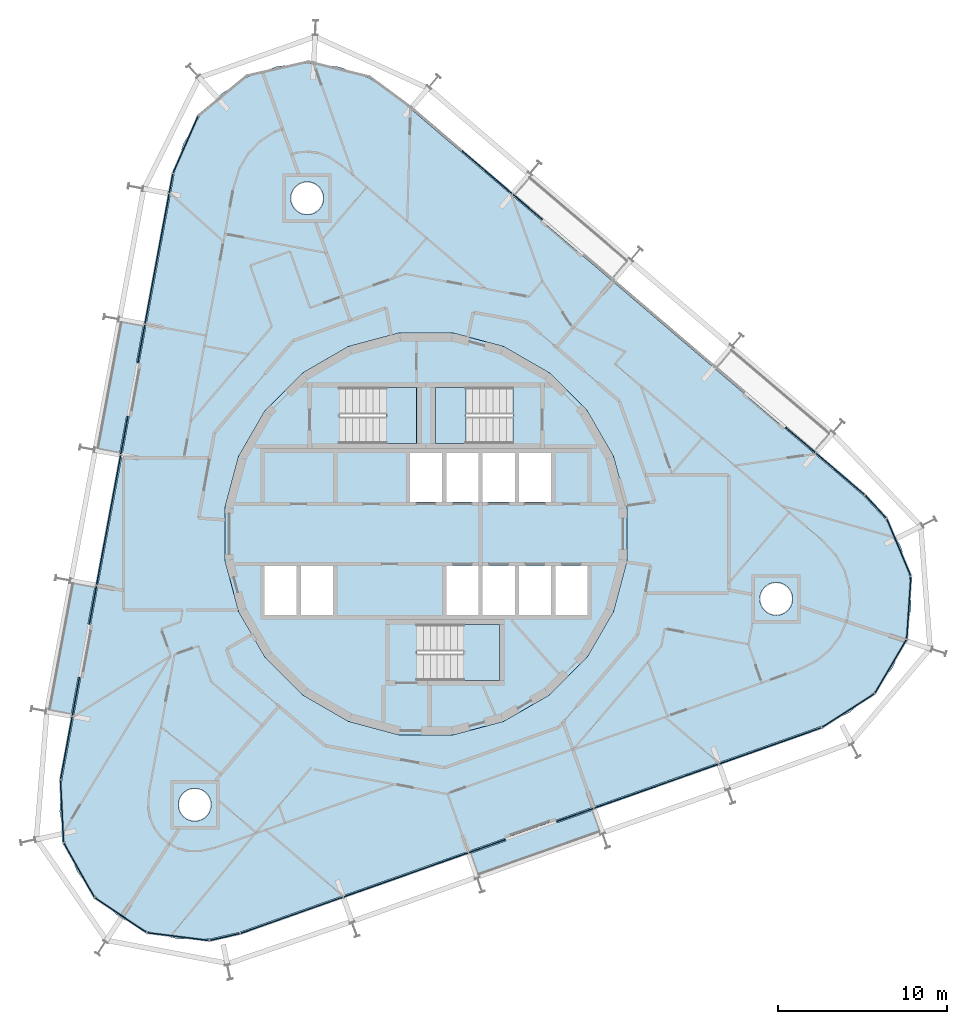
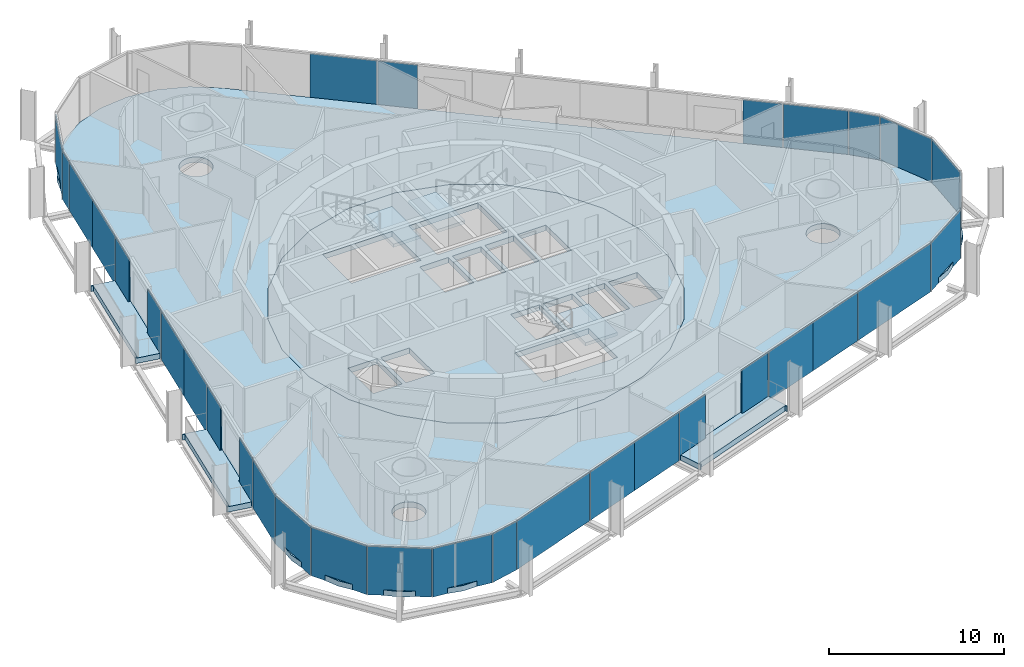
# One storey, part 9 of 17: 33 plates, 8 slabs, 9 elements without a shape of their own.
"""IFC4 building model written with IfcOpenShell, lengths in metres."""

from ifc_helpers import new_model, si_unit, direction, frame, origin, origin_2d, place, context, subcontext, project, spatial, polyline, rectangle, outline, extrude, material, layer, layer_set, type_object, element, aggregate, save


model = new_model("IFC4")

# Units and contexts
model_context = context("Model", 3, precision=1e-05, world=origin(), true_north=direction((0.0, 1.0)))
body_context = subcontext(model_context, "Body", "Model", "MODEL_VIEW")
ifc_project = project(units=[si_unit("LENGTHUNIT", "METRE"), si_unit("AREAUNIT", "SQUARE_METRE"), si_unit("VOLUMEUNIT", "CUBIC_METRE"), si_unit("PLANEANGLEUNIT", "RADIAN"), si_unit("MASSUNIT", "GRAM", prefix="KILO")], contexts=[model_context])

# Site, building, storey
site_placement = place(None, origin())
site = spatial("IfcSite", under=ifc_project, at=site_placement, CompositionType="ELEMENT")
building_placement = place(site_placement, origin())
building = spatial("IfcBuilding", under=site, at=building_placement, Name="Spindle Arch Residences", CompositionType="ELEMENT")
storey_placement = place(building_placement, frame((0.0, 0.0, 162.199951171875)))
storey = spatial("IfcBuildingStorey", under=building, at=storey_placement, Name="L40", CompositionType="ELEMENT", Elevation=162.199951171875)

# Slabs
ifc_material_1 = material(Name="Concrete C40/50", Category="concrete")
ifc_layer_1 = layer(ifc_material_1, 0.3798828125)
ifc_layer_set_1 = layer_set([ifc_layer_1], Name="Balcony slab 380")
slab_type_1 = type_object("IfcSlabType", Name="Balcony slab 380", PredefinedType="FLOOR", material=ifc_layer_set_1)
slab_1_placement = place(storey_placement, frame((0.0, 0.0, -0.3798828125)))
element("IfcSlab", 1, at=slab_1_placement, inside=storey, type_object=slab_type_1, Name="Balcony L40 bay 14", PredefinedType="FLOOR", context=body_context, shape_type="SweptSolid", body=[
    extrude(outline(polyline([(-18.1875, 12.620849609375), (-18.201171875, 12.547119140625), (-18.0537109375, 12.519775390625), (-19.431396484375, 5.086181640625), (-19.578857421875, 5.113525390625), (-19.592529296875, 5.039794921875), (-18.12744140625, 4.768310546875), (-17.716552734375, 6.985595703125), (-17.559326171875, 6.95654296875), (-16.97607421875, 10.102783203125), (-17.133544921875, 10.132080078125), (-16.722412109375, 12.349365234375), (-18.1875, 12.620849609375)])), origin(), (0.0, 0.0, 1.0), 0.3798828125),
])
slab_2_placement = place(storey_placement, frame((0.0, 0.0, -0.3798828125)))
element("IfcSlab", 2, at=slab_2_placement, inside=storey, type_object=slab_type_1, Name="Balcony L40 bay 16", PredefinedType="FLOOR", context=body_context, shape_type="SweptSolid", body=[
    extrude(outline(polyline([(-21.05224609375, -2.836181640625), (-21.06591796875, -2.909912109375), (-20.91845703125, -2.937255859375), (-22.296142578125, -10.37060546875), (-22.443603515625, -10.34326171875), (-22.457275390625, -10.4169921875), (-20.9921875, -10.6884765625), (-20.581298828125, -8.47119140625), (-20.424072265625, -8.50048828125), (-19.8408203125, -5.35400390625), (-19.998291015625, -5.324951171875), (-19.587158203125, -3.107666015625), (-21.05224609375, -2.836181640625)])), origin(), (0.0, 0.0, 1.0), 0.3798828125),
])
slab_3_placement = place(storey_placement, frame((0.0, 0.0, -0.3798828125)))
element("IfcSlab", 3, at=slab_3_placement, inside=storey, type_object=slab_type_1, Name="Balcony L40 bay 22", PredefinedType="FLOOR", context=body_context, shape_type="SweptSolid", body=[
    extrude(outline(polyline([(3.103271484375, -20.31201171875), (3.174072265625, -20.287109375), (3.1240234375, -20.145751953125), (10.250244140625, -17.6220703125), (10.300537109375, -17.763427734375), (10.37109375, -17.738525390625), (9.873779296875, -16.333984375), (7.748046875, -17.086669921875), (7.694580078125, -16.935791015625), (4.67822265625, -18.00390625), (4.731689453125, -18.15478515625), (2.60595703125, -18.907470703125), (3.103271484375, -20.31201171875)])), origin(), (0.0, 0.0, 1.0), 0.3798828125),
])
ifc_material_2 = material(Name="Concrete C50/60", Category="concrete")
ifc_layer_2 = layer(ifc_material_2, 0.3798828125)
ifc_layer_set_2 = layer_set([ifc_layer_2], Name="Core floor slab 380")
slab_type_2 = type_object("IfcSlabType", Name="Core floor slab 380", PredefinedType="FLOOR", material=ifc_layer_set_2)
slab_4_placement = place(storey_placement, frame((0.0, 0.0, -0.3798828125)))
element("IfcSlab", 4, at=slab_4_placement, inside=storey, type_object=slab_type_2, Name="Core floor L40", PredefinedType="FLOOR", context=body_context, shape_type="SweptSolid", body=[
    extrude(outline(polyline([(1.56640625, -11.897216796875), (4.59228515625, -11.086669921875), (7.30517578125, -9.520263671875), (9.520263671875, -7.30517578125), (11.086669921875, -4.59228515625), (11.897216796875, -1.56640625), (11.897216796875, 1.56640625), (11.086669921875, 4.59228515625), (9.520263671875, 7.30517578125), (7.30517578125, 9.520263671875), (4.59228515625, 11.086669921875), (1.56640625, 11.897216796875), (-1.56640625, 11.897216796875), (-4.59228515625, 11.086669921875), (-7.30517578125, 9.520263671875), (-9.520263671875, 7.30517578125), (-11.086669921875, 4.59228515625), (-11.897216796875, 1.56640625), (-11.897216796875, -1.56640625), (-11.086669921875, -4.59228515625), (-9.520263671875, -7.30517578125), (-7.30517578125, -9.520263671875), (-4.59228515625, -11.086669921875), (-1.56640625, -11.897216796875), (1.56640625, -11.897216796875)]), holes=[polyline([(-0.949951171875, 1.89990234375), (0.949951171875, 1.89990234375), (0.949951171875, 4.800048828125), (-0.949951171875, 4.800048828125), (-0.949951171875, 1.89990234375)]), polyline([(1.199951171875, 1.89990234375), (3.10009765625, 1.89990234375), (3.10009765625, 4.800048828125), (1.199951171875, 4.800048828125), (1.199951171875, 1.89990234375)]), polyline([(3.35009765625, 1.89990234375), (5.25, 1.89990234375), (5.25, 4.800048828125), (3.35009765625, 4.800048828125), (3.35009765625, 1.89990234375)]), polyline([(5.5, 1.89990234375), (7.39990234375, 1.89990234375), (7.39990234375, 4.800048828125), (5.5, 4.800048828125), (5.5, 1.89990234375)]), polyline([(-9.550048828125, -4.800048828125), (-7.64990234375, -4.800048828125), (-7.64990234375, -1.89990234375), (-9.550048828125, -1.89990234375), (-9.550048828125, -4.800048828125)]), polyline([(-7.39990234375, -4.800048828125), (-5.5, -4.800048828125), (-5.5, -1.89990234375), (-7.39990234375, -1.89990234375), (-7.39990234375, -4.800048828125)]), polyline([(1.199951171875, -4.800048828125), (3.10009765625, -4.800048828125), (3.10009765625, -1.89990234375), (1.199951171875, -1.89990234375), (1.199951171875, -4.800048828125)]), polyline([(3.35009765625, -4.800048828125), (5.25, -4.800048828125), (5.25, -1.89990234375), (3.35009765625, -1.89990234375), (3.35009765625, -4.800048828125)]), polyline([(5.5, -4.800048828125), (7.39990234375, -4.800048828125), (7.39990234375, -1.89990234375), (5.5, -1.89990234375), (5.5, -4.800048828125)]), polyline([(7.64990234375, -4.800048828125), (9.550048828125, -4.800048828125), (9.550048828125, -1.89990234375), (7.64990234375, -1.89990234375), (7.64990234375, -4.800048828125)]), polyline([(5.1298828125, 8.669921875), (0.550048828125, 8.669921875), (0.550048828125, 5.35009765625), (5.1298828125, 5.35009765625), (5.1298828125, 8.669921875)]), polyline([(-5.1298828125, 5.35009765625), (-0.550048828125, 5.35009765625), (-0.550048828125, 8.669921875), (-5.1298828125, 8.669921875), (-5.1298828125, 5.35009765625)]), polyline([(-0.530029296875, -8.669921875), (4.35009765625, -8.669921875), (4.35009765625, -5.35009765625), (-0.530029296875, -5.35009765625), (-0.530029296875, -8.669921875)])]), origin(), (0.0, 0.0, 1.0), 0.3798828125),
])

# Stair, slab
ifc_material_3 = material(Name="Concrete C50/60", Category="concrete")
stair_type = type_object("IfcStairType", Name="Exit stair 16 risers", PredefinedType="HALF_TURN_STAIR", material=ifc_material_3)
stair_1_placement = place(storey_placement, origin())
stair_1 = element("IfcStair", 5, at=stair_1_placement, inside=storey, type_object=stair_type, Name="L40 Exit stair ST1", PredefinedType="HALF_TURN_STAIR")
ifc_material_4 = material(Name="Concrete C50/60", Category="concrete")
ifc_layer_3 = layer(ifc_material_4, 0.219970703125)
ifc_layer_set_3 = layer_set([ifc_layer_3], Name="Exit stair landing 220")
slab_type_3 = type_object("IfcSlabType", Name="Exit stair landing 220", PredefinedType="LANDING", material=ifc_layer_set_3)
slab_5_placement = place(storey_placement, frame((0.0, 0.0, 1.530029296875)))
slab_5 = element("IfcSlab", 6, at=slab_5_placement, type_object=slab_type_3, Name="ST1 landing 1", PredefinedType="LANDING", context=body_context, shape_type="SweptSolid", body=[
    extrude(outline(polyline([(2.3701171875, 8.669921875), (0.550048828125, 8.669921875), (0.550048828125, 5.35009765625), (2.3701171875, 5.35009765625), (2.3701171875, 8.669921875)])), origin(), (0.0, 0.0, 1.0), 0.219970703125),
])
aggregate(stair_1, [slab_5])

stair_2_placement = place(storey_placement, origin())
stair_2 = element("IfcStair", 7, at=stair_2_placement, inside=storey, type_object=stair_type, Name="L40 Exit stair ST2", PredefinedType="HALF_TURN_STAIR")
slab_6_placement = place(storey_placement, frame((0.0, 0.0, 1.530029296875)))
slab_6 = element("IfcSlab", 8, at=slab_6_placement, type_object=slab_type_3, Name="ST2 landing 1", PredefinedType="LANDING", context=body_context, shape_type="SweptSolid", body=[
    extrude(outline(polyline([(-2.3701171875, 5.35009765625), (-0.550048828125, 5.35009765625), (-0.550048828125, 8.669921875), (-2.3701171875, 8.669921875), (-2.3701171875, 5.35009765625)])), origin(), (0.0, 0.0, 1.0), 0.219970703125),
])
aggregate(stair_2, [slab_6])

stair_3_placement = place(storey_placement, origin())
stair_3 = element("IfcStair", 9, at=stair_3_placement, inside=storey, type_object=stair_type, Name="L40 Exit stair ST3", PredefinedType="HALF_TURN_STAIR")
slab_7_placement = place(storey_placement, frame((0.0, 0.0, 1.530029296875)))
slab_7 = element("IfcSlab", 10, at=slab_7_placement, type_object=slab_type_3, Name="ST3 landing 1", PredefinedType="LANDING", context=body_context, shape_type="SweptSolid", body=[
    extrude(outline(polyline([(2.22998046875, -8.669921875), (4.35009765625, -8.669921875), (4.35009765625, -5.35009765625), (2.22998046875, -5.35009765625), (2.22998046875, -8.669921875)])), origin(), (0.0, 0.0, 1.0), 0.219970703125),
])
aggregate(stair_3, [slab_7])

# Slab
ifc_material_5 = material(Name="Concrete C40/50", Category="concrete")
ifc_layer_4 = layer(ifc_material_5, 0.3798828125)
ifc_layer_set_4 = layer_set([ifc_layer_4], Name="Floor slab 380")
slab_type_4 = type_object("IfcSlabType", Name="Floor slab 380", PredefinedType="FLOOR", material=ifc_layer_set_4)
slab_8_placement = place(storey_placement, frame((0.0, 0.0, -0.3798828125)))
element("IfcSlab", 11, at=slab_8_placement, inside=storey, type_object=slab_type_4, Name="Floor slab L40", PredefinedType="FLOOR", context=body_context, shape_type="SweptSolid", body=[
    extrude(outline(polyline([(-12.82177734375, -23.972412109375), (-14.67919921875, -23.9560546875), (-16.48291015625, -23.511962890625), (-18.135498046875, -22.663818359375), (-19.5478515625, -21.45751953125), (-20.64404296875, -19.9580078125), (-21.36474609375, -18.24609375), (-21.67138671875, -16.4140625), (-21.547119140625, -14.560791015625), (-14.89794921875, 21.3154296875), (-14.349609375, 23.090087890625), (-13.406982421875, 24.690673828125), (-12.12060546875, 26.030517578125), (-10.559814453125, 27.03759765625), (-8.808837890625, 27.65771484375), (-6.962158203125, 27.857421875), (-5.119140625, 27.62548828125), (-3.37939453125, 26.97509765625), (-1.83642578125, 25.94091796875), (25.90869140625, 2.244384765625), (27.171630859375, 0.882080078125), (28.086181640625, -0.734619140625), (28.603515625, -2.5185546875), (28.6953125, -4.373779296875), (28.356689453125, -6.2001953125), (27.606201171875, -7.8994140625), (26.48388671875, -9.37939453125), (25.05078125, -10.56103515625), (23.383544921875, -11.380126953125), (6.186279296875, -17.469970703125), (-11.0107421875, -23.559814453125), (-12.82177734375, -23.972412109375)]), holes=[polyline([(7.30517578125, -9.520263671875), (9.520263671875, -7.30517578125), (11.086669921875, -4.59228515625), (11.897216796875, -1.56640625), (11.897216796875, 1.56640625), (11.086669921875, 4.59228515625), (9.520263671875, 7.30517578125), (7.30517578125, 9.520263671875), (4.59228515625, 11.086669921875), (1.56640625, 11.897216796875), (-1.56640625, 11.897216796875), (-4.59228515625, 11.086669921875), (-7.30517578125, 9.520263671875), (-9.520263671875, 7.30517578125), (-11.086669921875, 4.59228515625), (-11.897216796875, 1.56640625), (-11.897216796875, -1.56640625), (-11.086669921875, -4.59228515625), (-9.520263671875, -7.30517578125), (-7.30517578125, -9.520263671875), (-4.59228515625, -11.086669921875), (-1.56640625, -11.897216796875), (1.56640625, -11.897216796875), (4.59228515625, -11.086669921875), (7.30517578125, -9.520263671875)]), polyline([(-12.99169921875, -16.7080078125), (-12.87060546875, -16.560302734375), (-12.780517578125, -16.3916015625), (-12.724853515625, -16.208740234375), (-12.706298828125, -16.0185546875), (-12.724853515625, -15.828369140625), (-12.780517578125, -15.6455078125), (-12.87060546875, -15.476806640625), (-12.99169921875, -15.3291015625), (-13.139404296875, -15.2080078125), (-13.30810546875, -15.117919921875), (-13.490966796875, -15.062255859375), (-13.68115234375, -15.043701171875), (-13.871337890625, -15.062255859375), (-14.05419921875, -15.117919921875), (-14.222900390625, -15.2080078125), (-14.37060546875, -15.3291015625), (-14.491943359375, -15.476806640625), (-14.58203125, -15.6455078125), (-14.637451171875, -15.828369140625), (-14.65625, -16.0185546875), (-14.637451171875, -16.208740234375), (-14.58203125, -16.3916015625), (-14.491943359375, -16.560302734375), (-14.37060546875, -16.7080078125), (-14.222900390625, -16.829345703125), (-14.05419921875, -16.91943359375), (-13.871337890625, -16.974853515625), (-13.68115234375, -16.99365234375), (-13.490966796875, -16.974853515625), (-13.30810546875, -16.91943359375), (-13.139404296875, -16.829345703125), (-12.99169921875, -16.7080078125)]), polyline([(-6.22119140625, 19.31591796875), (-6.131103515625, 19.484619140625), (-6.07568359375, 19.66748046875), (-6.056884765625, 19.857666015625), (-6.07568359375, 20.0478515625), (-6.131103515625, 20.230712890625), (-6.22119140625, 20.3994140625), (-6.342529296875, 20.547119140625), (-6.490234375, 20.668212890625), (-6.65869140625, 20.75830078125), (-6.841796875, 20.81396484375), (-7.031982421875, 20.83251953125), (-7.22216796875, 20.81396484375), (-7.405029296875, 20.75830078125), (-7.573486328125, 20.668212890625), (-7.72119140625, 20.547119140625), (-7.842529296875, 20.3994140625), (-7.9326171875, 20.230712890625), (-7.98828125, 20.0478515625), (-8.0068359375, 19.857666015625), (-7.98828125, 19.66748046875), (-7.9326171875, 19.484619140625), (-7.842529296875, 19.31591796875), (-7.72119140625, 19.168212890625), (-7.573486328125, 19.046875), (-7.405029296875, 18.956787109375), (-7.22216796875, 18.9013671875), (-7.031982421875, 18.882568359375), (-6.841796875, 18.9013671875), (-6.65869140625, 18.956787109375), (-6.490234375, 19.046875), (-6.342529296875, 19.168212890625), (-6.22119140625, 19.31591796875)]), polyline([(21.523681640625, -4.380615234375), (21.614013671875, -4.212158203125), (21.66943359375, -4.029296875), (21.68798828125, -3.839111328125), (21.66943359375, -3.648681640625), (21.614013671875, -3.4658203125), (21.523681640625, -3.29736328125), (21.402587890625, -3.149658203125), (21.2548828125, -3.0283203125), (21.086181640625, -2.938232421875), (20.9033203125, -2.8828125), (20.713134765625, -2.864013671875), (20.52294921875, -2.8828125), (20.340087890625, -2.938232421875), (20.17138671875, -3.0283203125), (20.023681640625, -3.149658203125), (19.90234375, -3.29736328125), (19.812255859375, -3.4658203125), (19.7568359375, -3.648681640625), (19.738037109375, -3.839111328125), (19.7568359375, -4.029296875), (19.812255859375, -4.212158203125), (19.90234375, -4.380615234375), (20.023681640625, -4.5283203125), (20.17138671875, -4.649658203125), (20.340087890625, -4.73974609375), (20.52294921875, -4.79541015625), (20.713134765625, -4.81396484375), (20.9033203125, -4.79541015625), (21.086181640625, -4.73974609375), (21.2548828125, -4.649658203125), (21.402587890625, -4.5283203125), (21.523681640625, -4.380615234375)])]), origin(), (0.0, 0.0, 1.0), 0.3798828125),
])

# Curtain wall, plates
ifc_material_6 = material(Name="Aluminium bronze unitised frame with tinted glass", Category="aluminium")
ifc_layer_5 = layer(ifc_material_6, 0.159912109375)
ifc_layer_set_5 = layer_set([ifc_layer_5], Name="CW-D corner wall on the fillet arcs")
curtain_wall_type_1 = type_object("IfcCurtainWallType", Name="CW-D corner wall on the fillet arcs", PredefinedType="NOTDEFINED", material=ifc_layer_set_5)
curtain_wall_1_placement = place(storey_placement, origin())
curtain_wall_1 = element("IfcCurtainWall", 12, at=curtain_wall_1_placement, inside=storey, type_object=curtain_wall_type_1, Name="CW-D L40 run 1", PredefinedType="NOTDEFINED")
ifc_material_7 = material(Name="Tinted double glazing over aluminium faced non-combustible spandrel zone (K0)", Category="aluminium")
ifc_layer_6 = layer(ifc_material_7, 0.06005859375)
ifc_layer_set_6 = layer_set([ifc_layer_6], Name="Unitised glass panel with E 60 spandrel zone")
plate_type = type_object("IfcPlateType", Name="Unitised glass panel with E 60 spandrel zone", PredefinedType="CURTAIN_PANEL", material=ifc_layer_set_6)
plate_1_placement = place(storey_placement, frame((20.36865234375, -12.53271484375, -0.3798828125), z_axis=(0.0, 0.0, 1.0), x_axis=(0.942641491092, 0.333806859234, 0.0)))
plate_1 = element("IfcPlate", 13, at=plate_1_placement, type_object=plate_type, Name="CW-D unit 00", PredefinedType="CURTAIN_PANEL", context=body_context, shape_type="SweptSolid", body=[
    extrude(rectangle(XDim=6.3935546875, YDim=0.06005859375, at=origin_2d()), origin(), (0.0, 0.0, 1.0), 3.3798828125),
])
plate_2_placement = place(storey_placement, frame((24.97607421875, -10.445068359375, -0.3798828125), z_axis=(0.0, 0.0, 1.0), x_axis=(0.840251309898, 0.542197137778, 0.0)))
plate_2 = element("IfcPlate", 14, at=plate_2_placement, type_object=plate_type, Name="CW-D unit 01", PredefinedType="CURTAIN_PANEL", context=body_context, shape_type="SweptSolid", body=[
    extrude(rectangle(XDim=3.666748046875, YDim=0.06005859375, at=origin_2d()), origin(), (0.0, 0.0, 1.0), 3.3798828125),
])
plate_3_placement = place(storey_placement, frame((27.487548828125, -7.829345703125, -0.3798828125), z_axis=(0.0, 0.0, 1.0), x_axis=(0.507538365713, 0.86162915882, 0.0)))
plate_3 = element("IfcPlate", 15, at=plate_3_placement, type_object=plate_type, Name="CW-D unit 02", PredefinedType="CURTAIN_PANEL", context=body_context, shape_type="SweptSolid", body=[
    extrude(rectangle(XDim=3.666748046875, YDim=0.06005859375, at=origin_2d()), origin(), (0.0, 0.0, 1.0), 3.3798828125),
])
plate_4_placement = place(storey_placement, frame((28.557861328125, -4.364501953125, -0.3798828125), z_axis=(0.0, 0.0, 1.0), x_axis=(0.066854392204, 0.997762742461, 0.0)))
plate_4 = element("IfcPlate", 16, at=plate_4_placement, type_object=plate_type, Name="CW-D unit 03", PredefinedType="CURTAIN_PANEL", context=body_context, shape_type="SweptSolid", body=[
    extrude(rectangle(XDim=3.666748046875, YDim=0.06005859375, at=origin_2d()), origin(), (0.0, 0.0, 1.0), 3.3798828125),
])
plate_5_placement = place(storey_placement, frame((27.959228515625, -0.7880859375, -0.3798828125), z_axis=(0.0, 0.0, 1.0), x_axis=(-0.388051836633, 0.921637549195, 0.0)))
plate_5 = element("IfcPlate", 17, at=plate_5_placement, type_object=plate_type, Name="CW-D unit 04", PredefinedType="CURTAIN_PANEL", context=body_context, shape_type="SweptSolid", body=[
    extrude(rectangle(XDim=3.666748046875, YDim=0.06005859375, at=origin_2d()), origin(), (0.0, 0.0, 1.0), 3.3798828125),
])
plate_6_placement = place(storey_placement, frame((26.598388671875, 1.6171875, -0.3798828125), z_axis=(0.0, 0.0, 1.0), x_axis=(-0.679868057543, 0.733334455983, 0.0)))
plate_6 = element("IfcPlate", 18, at=plate_6_placement, type_object=plate_type, Name="CW-D unit 05", PredefinedType="CURTAIN_PANEL", context=body_context, shape_type="SweptSolid", body=[
    extrude(rectangle(XDim=1.816162109375, YDim=0.06005859375, at=origin_2d()), origin(), (0.0, 0.0, 1.0), 3.3798828125),
])
plate_7_placement = place(storey_placement, frame((24.503173828125, 3.550048828125, -0.3798828125), z_axis=(0.0, 0.0, 1.0), x_axis=(-0.7604059656, 0.64944804833, 0.0)))
plate_7 = element("IfcPlate", 19, at=plate_7_placement, type_object=plate_type, Name="CW-D unit 06", PredefinedType="CURTAIN_PANEL", context=body_context, shape_type="SweptSolid", body=[
    extrude(rectangle(XDim=3.7734375, YDim=0.06005859375, at=origin_2d()), origin(), (0.0, 0.0, 1.0), 3.3798828125),
])
aggregate(curtain_wall_1, [plate_1, plate_2, plate_3, plate_4, plate_5, plate_6, plate_7])

ifc_material_8 = material(Name="Aluminium bronze unitised frame with tinted glass", Category="aluminium")
ifc_layer_7 = layer(ifc_material_8, 0.159912109375)
ifc_layer_set_7 = layer_set([ifc_layer_7], Name="CW-C typical residential unitised wall")
curtain_wall_type_2 = type_object("IfcCurtainWallType", Name="CW-C typical residential unitised wall", PredefinedType="NOTDEFINED", material=ifc_layer_set_7)
curtain_wall_2_placement = place(storey_placement, origin())
curtain_wall_2 = element("IfcCurtainWall", 20, at=curtain_wall_2_placement, inside=storey, type_object=curtain_wall_type_2, Name="CW-C L40 run 2", PredefinedType="NOTDEFINED")
plate_8_placement = place(storey_placement, frame((22.1484375, 5.56103515625, -0.3798828125), z_axis=(0.0, 0.0, 1.0), x_axis=(-0.7604059656, 0.64944804833, 0.0)))
plate_8 = element("IfcPlate", 21, at=plate_8_placement, type_object=plate_type, Name="CW-C unit 05L", PredefinedType="CURTAIN_PANEL", context=body_context, shape_type="SweptSolid", body=[
    extrude(rectangle(XDim=2.300048828125, YDim=0.06005859375, at=origin_2d()), origin(), (0.0, 0.0, 1.0), 3.3798828125),
])
plate_9_placement = place(storey_placement, frame((6.012451171875, 19.342529296875, -0.3798828125), z_axis=(0.0, 0.0, 1.0), x_axis=(-0.7604059656, 0.64944804833, 0.0)))
plate_9 = element("IfcPlate", 22, at=plate_9_placement, type_object=plate_type, Name="CW-C unit 07R", PredefinedType="CURTAIN_PANEL", context=body_context, shape_type="SweptSolid", body=[
    extrude(rectangle(XDim=2.300048828125, YDim=0.06005859375, at=origin_2d()), origin(), (0.0, 0.0, 1.0), 3.3798828125),
])
plate_10_placement = place(storey_placement, frame((3.609619140625, 21.394775390625, -0.3798828125), z_axis=(0.0, 0.0, 1.0), x_axis=(-0.7604059656, 0.64944804833, 0.0)))
plate_10 = element("IfcPlate", 23, at=plate_10_placement, type_object=plate_type, Name="CW-C unit 08A", PredefinedType="CURTAIN_PANEL", context=body_context, shape_type="SweptSolid", body=[
    extrude(rectangle(XDim=3.900146484375, YDim=0.06005859375, at=origin_2d()), origin(), (0.0, 0.0, 1.0), 3.3798828125),
])
aggregate(curtain_wall_2, [plate_8, plate_9, plate_10])

curtain_wall_3_placement = place(storey_placement, origin())
curtain_wall_3 = element("IfcCurtainWall", 24, at=curtain_wall_3_placement, inside=storey, type_object=curtain_wall_type_1, Name="CW-D L40 run 3", PredefinedType="NOTDEFINED")
plate_11_placement = place(storey_placement, frame((-14.2236328125, 23.034423828125, -0.3798828125), z_axis=(0.0, 0.0, 1.0), x_axis=(-0.404077526853, -0.914724741271, 0.0)))
plate_11 = element("IfcPlate", 25, at=plate_11_placement, type_object=plate_type, Name="CW-D unit 04", PredefinedType="CURTAIN_PANEL", context=body_context, shape_type="SweptSolid", body=[
    extrude(rectangle(XDim=3.666748046875, YDim=0.06005859375, at=origin_2d()), origin(), (0.0, 0.0, 1.0), 3.3798828125),
])
plate_12_placement = place(storey_placement, frame((-15.087158203125, 20.7333984375, -0.3798828125), z_axis=(0.0, 0.0, 1.0), x_axis=(-0.182235525492, -0.983254907564, 0.0)))
plate_12 = element("IfcPlate", 26, at=plate_12_placement, type_object=plate_type, Name="CW-D unit 05", PredefinedType="CURTAIN_PANEL", context=body_context, shape_type="SweptSolid", body=[
    extrude(rectangle(XDim=1.1533203125, YDim=0.06005859375, at=origin_2d()), origin(), (0.0, 0.0, 1.0), 3.3798828125),
])
aggregate(curtain_wall_3, [plate_11, plate_12])

curtain_wall_4_placement = place(storey_placement, origin())
curtain_wall_4 = element("IfcCurtainWall", 27, at=curtain_wall_4_placement, inside=storey, type_object=curtain_wall_type_2, Name="CW-C L40 run 4", PredefinedType="NOTDEFINED")
plate_13_placement = place(storey_placement, frame((-15.55859375, 18.190185546875, -0.3798828125), z_axis=(0.0, 0.0, 1.0), x_axis=(-0.182235525492, -0.983254907564, 0.0)))
plate_13 = element("IfcPlate", 28, at=plate_13_placement, type_object=plate_type, Name="CW-C unit 12A", PredefinedType="CURTAIN_PANEL", context=body_context, shape_type="SweptSolid", body=[
    extrude(rectangle(XDim=3.900146484375, YDim=0.06005859375, at=origin_2d()), origin(), (0.0, 0.0, 1.0), 3.3798828125),
])
plate_14_placement = place(storey_placement, frame((-16.269287109375, 14.355224609375, -0.3798828125), z_axis=(0.0, 0.0, 1.0), x_axis=(-0.182235525492, -0.983254907564, 0.0)))
plate_14 = element("IfcPlate", 29, at=plate_14_placement, type_object=plate_type, Name="CW-C unit 12B", PredefinedType="CURTAIN_PANEL", context=body_context, shape_type="SweptSolid", body=[
    extrude(rectangle(XDim=3.900146484375, YDim=0.06005859375, at=origin_2d()), origin(), (0.0, 0.0, 1.0), 3.3798828125),
])
plate_15_placement = place(storey_placement, frame((-16.84521484375, 11.248291015625, -0.3798828125), z_axis=(0.0, 0.0, 1.0), x_axis=(-0.182235525492, -0.983254907564, 0.0)))
plate_15 = element("IfcPlate", 30, at=plate_15_placement, type_object=plate_type, Name="CW-C unit 13L", PredefinedType="CURTAIN_PANEL", context=body_context, shape_type="SweptSolid", body=[
    extrude(rectangle(XDim=2.300048828125, YDim=0.06005859375, at=origin_2d()), origin(), (0.0, 0.0, 1.0), 3.3798828125),
])
plate_16_placement = place(storey_placement, frame((-17.847412109375, 5.84033203125, -0.3798828125), z_axis=(0.0, 0.0, 1.0), x_axis=(-0.182235525492, -0.983254907564, 0.0)))
plate_16 = element("IfcPlate", 31, at=plate_16_placement, type_object=plate_type, Name="CW-C unit 13R", PredefinedType="CURTAIN_PANEL", context=body_context, shape_type="SweptSolid", body=[
    extrude(rectangle(XDim=2.300048828125, YDim=0.06005859375, at=origin_2d()), origin(), (0.0, 0.0, 1.0), 3.3798828125),
])
plate_17_placement = place(storey_placement, frame((-18.42333984375, 2.733154296875, -0.3798828125), z_axis=(0.0, 0.0, 1.0), x_axis=(-0.182235525492, -0.983254907564, 0.0)))
plate_17 = element("IfcPlate", 32, at=plate_17_placement, type_object=plate_type, Name="CW-C unit 14A", PredefinedType="CURTAIN_PANEL", context=body_context, shape_type="SweptSolid", body=[
    extrude(rectangle(XDim=3.900146484375, YDim=0.06005859375, at=origin_2d()), origin(), (0.0, 0.0, 1.0), 3.3798828125),
])
plate_18_placement = place(storey_placement, frame((-19.134033203125, -1.1015625, -0.3798828125), z_axis=(0.0, 0.0, 1.0), x_axis=(-0.182235525492, -0.983254907564, 0.0)))
plate_18 = element("IfcPlate", 33, at=plate_18_placement, type_object=plate_type, Name="CW-C unit 14B", PredefinedType="CURTAIN_PANEL", context=body_context, shape_type="SweptSolid", body=[
    extrude(rectangle(XDim=3.900146484375, YDim=0.06005859375, at=origin_2d()), origin(), (0.0, 0.0, 1.0), 3.3798828125),
])
plate_19_placement = place(storey_placement, frame((-19.7099609375, -4.208740234375, -0.3798828125), z_axis=(0.0, 0.0, 1.0), x_axis=(-0.182235525492, -0.983254907564, 0.0)))
plate_19 = element("IfcPlate", 34, at=plate_19_placement, type_object=plate_type, Name="CW-C unit 15L", PredefinedType="CURTAIN_PANEL", context=body_context, shape_type="SweptSolid", body=[
    extrude(rectangle(XDim=2.300048828125, YDim=0.06005859375, at=origin_2d()), origin(), (0.0, 0.0, 1.0), 3.3798828125),
])
plate_20_placement = place(storey_placement, frame((-20.712158203125, -9.61669921875, -0.3798828125), z_axis=(0.0, 0.0, 1.0), x_axis=(-0.182235525492, -0.983254907564, 0.0)))
plate_20 = element("IfcPlate", 35, at=plate_20_placement, type_object=plate_type, Name="CW-C unit 15R", PredefinedType="CURTAIN_PANEL", context=body_context, shape_type="SweptSolid", body=[
    extrude(rectangle(XDim=2.300048828125, YDim=0.06005859375, at=origin_2d()), origin(), (0.0, 0.0, 1.0), 3.3798828125),
])
aggregate(curtain_wall_4, [plate_13, plate_14, plate_15, plate_16, plate_17, plate_18, plate_19, plate_20])

curtain_wall_5_placement = place(storey_placement, origin())
curtain_wall_5 = element("IfcCurtainWall", 36, at=curtain_wall_5_placement, inside=storey, type_object=curtain_wall_type_1, Name="CW-D L40 run 5", PredefinedType="NOTDEFINED")
plate_21_placement = place(storey_placement, frame((-21.276611328125, -12.66162109375, -0.3798828125), z_axis=(0.0, 0.0, 1.0), x_axis=(-0.182235525492, -0.983254907564, 0.0)))
plate_21 = element("IfcPlate", 37, at=plate_21_placement, type_object=plate_type, Name="CW-D unit 00", PredefinedType="CURTAIN_PANEL", context=body_context, shape_type="SweptSolid", body=[
    extrude(rectangle(XDim=3.7734375, YDim=0.06005859375, at=origin_2d()), origin(), (0.0, 0.0, 1.0), 3.3798828125),
])
plate_22_placement = place(storey_placement, frame((-21.53369140625, -16.4072265625, -0.3798828125), z_axis=(0.0, 0.0, 1.0), x_axis=(0.049430843939, -0.99877754864, 0.0)))
plate_22 = element("IfcPlate", 38, at=plate_22_placement, type_object=plate_type, Name="CW-D unit 01", PredefinedType="CURTAIN_PANEL", context=body_context, shape_type="SweptSolid", body=[
    extrude(rectangle(XDim=3.666748046875, YDim=0.06005859375, at=origin_2d()), origin(), (0.0, 0.0, 1.0), 3.3798828125),
])
plate_23_placement = place(storey_placement, frame((-20.524169921875, -19.89013671875, -0.3798828125), z_axis=(0.0, 0.0, 1.0), x_axis=(0.492423562185, -0.870355694762, 0.0)))
plate_23 = element("IfcPlate", 39, at=plate_23_placement, type_object=plate_type, Name="CW-D unit 02", PredefinedType="CURTAIN_PANEL", context=body_context, shape_type="SweptSolid", body=[
    extrude(rectangle(XDim=3.666748046875, YDim=0.06005859375, at=origin_2d()), origin(), (0.0, 0.0, 1.0), 3.3798828125),
])
plate_24_placement = place(storey_placement, frame((-18.05859375, -22.549560546875, -0.3798828125), z_axis=(0.0, 0.0, 1.0), x_axis=(0.830660688705, -0.556778968928, 0.0)))
plate_24 = element("IfcPlate", 40, at=plate_24_placement, type_object=plate_type, Name="CW-D unit 03", PredefinedType="CURTAIN_PANEL", context=body_context, shape_type="SweptSolid", body=[
    extrude(rectangle(XDim=3.666748046875, YDim=0.06005859375, at=origin_2d()), origin(), (0.0, 0.0, 1.0), 3.3798828125),
])
plate_25_placement = place(storey_placement, frame((-14.662109375, -23.8193359375, -0.3798828125), z_axis=(0.0, 0.0, 1.0), x_axis=(0.992187449327, -0.12475602349, 0.0)))
plate_25 = element("IfcPlate", 41, at=plate_25_placement, type_object=plate_type, Name="CW-D unit 04", PredefinedType="CURTAIN_PANEL", context=body_context, shape_type="SweptSolid", body=[
    extrude(rectangle(XDim=3.666748046875, YDim=0.06005859375, at=origin_2d()), origin(), (0.0, 0.0, 1.0), 3.3798828125),
])
plate_26_placement = place(storey_placement, frame((-11.898681640625, -23.843505859375, -0.3798828125), z_axis=(0.0, 0.0, 1.0), x_axis=(0.975020297465, 0.222115779565, 0.0)))
plate_26 = element("IfcPlate", 42, at=plate_26_placement, type_object=plate_type, Name="CW-D unit 05", PredefinedType="CURTAIN_PANEL", context=body_context, shape_type="SweptSolid", body=[
    extrude(rectangle(XDim=1.816162109375, YDim=0.06005859375, at=origin_2d()), origin(), (0.0, 0.0, 1.0), 3.3798828125),
])
plate_27_placement = place(storey_placement, frame((-7.9423828125, -22.55810546875, -0.3798828125), z_axis=(0.0, 0.0, 1.0), x_axis=(0.942641491092, 0.333806859234, 0.0)))
plate_27 = element("IfcPlate", 43, at=plate_27_placement, type_object=plate_type, Name="CW-D unit 06", PredefinedType="CURTAIN_PANEL", context=body_context, shape_type="SweptSolid", body=[
    extrude(rectangle(XDim=6.3935546875, YDim=0.06005859375, at=origin_2d()), origin(), (0.0, 0.0, 1.0), 3.3798828125),
])
aggregate(curtain_wall_5, [plate_21, plate_22, plate_23, plate_24, plate_25, plate_26, plate_27])

curtain_wall_6_placement = place(storey_placement, origin())
curtain_wall_6 = element("IfcCurtainWall", 44, at=curtain_wall_6_placement, inside=storey, type_object=curtain_wall_type_2, Name="CW-C L40 run 6", PredefinedType="NOTDEFINED")
plate_28_placement = place(storey_placement, frame((-3.0341796875, -20.820068359375, -0.3798828125), z_axis=(0.0, 0.0, 1.0), x_axis=(0.942641491092, 0.333806859234, 0.0)))
plate_28 = element("IfcPlate", 45, at=plate_28_placement, type_object=plate_type, Name="CW-C unit 20A", PredefinedType="CURTAIN_PANEL", context=body_context, shape_type="SweptSolid", body=[
    extrude(rectangle(XDim=3.900146484375, YDim=0.06005859375, at=origin_2d()), origin(), (0.0, 0.0, 1.0), 3.3798828125),
])
plate_29_placement = place(storey_placement, frame((0.64208984375, -19.51806640625, -0.3798828125), z_axis=(0.0, 0.0, 1.0), x_axis=(0.942641491092, 0.333806859234, 0.0)))
plate_29 = element("IfcPlate", 46, at=plate_29_placement, type_object=plate_type, Name="CW-C unit 20B", PredefinedType="CURTAIN_PANEL", context=body_context, shape_type="SweptSolid", body=[
    extrude(rectangle(XDim=3.900146484375, YDim=0.06005859375, at=origin_2d()), origin(), (0.0, 0.0, 1.0), 3.3798828125),
])
plate_30_placement = place(storey_placement, frame((3.620849609375, -18.46337890625, -0.3798828125), z_axis=(0.0, 0.0, 1.0), x_axis=(0.942641491092, 0.333806859234, 0.0)))
plate_30 = element("IfcPlate", 47, at=plate_30_placement, type_object=plate_type, Name="CW-C unit 21L", PredefinedType="CURTAIN_PANEL", context=body_context, shape_type="SweptSolid", body=[
    extrude(rectangle(XDim=2.300048828125, YDim=0.06005859375, at=origin_2d()), origin(), (0.0, 0.0, 1.0), 3.3798828125),
])
plate_31_placement = place(storey_placement, frame((8.805419921875, -16.62744140625, -0.3798828125), z_axis=(0.0, 0.0, 1.0), x_axis=(0.942641491092, 0.333806859234, 0.0)))
plate_31 = element("IfcPlate", 48, at=plate_31_placement, type_object=plate_type, Name="CW-C unit 21R", PredefinedType="CURTAIN_PANEL", context=body_context, shape_type="SweptSolid", body=[
    extrude(rectangle(XDim=2.300048828125, YDim=0.06005859375, at=origin_2d()), origin(), (0.0, 0.0, 1.0), 3.3798828125),
])
plate_32_placement = place(storey_placement, frame((11.7841796875, -15.572509765625, -0.3798828125), z_axis=(0.0, 0.0, 1.0), x_axis=(0.942641491092, 0.333806859234, 0.0)))
plate_32 = element("IfcPlate", 49, at=plate_32_placement, type_object=plate_type, Name="CW-C unit 00A", PredefinedType="CURTAIN_PANEL", context=body_context, shape_type="SweptSolid", body=[
    extrude(rectangle(XDim=3.900146484375, YDim=0.06005859375, at=origin_2d()), origin(), (0.0, 0.0, 1.0), 3.3798828125),
])
plate_33_placement = place(storey_placement, frame((15.46044921875, -14.270751953125, -0.3798828125), z_axis=(0.0, 0.0, 1.0), x_axis=(0.942641491092, 0.333806859234, 0.0)))
plate_33 = element("IfcPlate", 50, at=plate_33_placement, type_object=plate_type, Name="CW-C unit 00B", PredefinedType="CURTAIN_PANEL", context=body_context, shape_type="SweptSolid", body=[
    extrude(rectangle(XDim=3.900146484375, YDim=0.06005859375, at=origin_2d()), origin(), (0.0, 0.0, 1.0), 3.3798828125),
])
aggregate(curtain_wall_6, [plate_28, plate_29, plate_30, plate_31, plate_32, plate_33])

save(model, "model.ifc")
